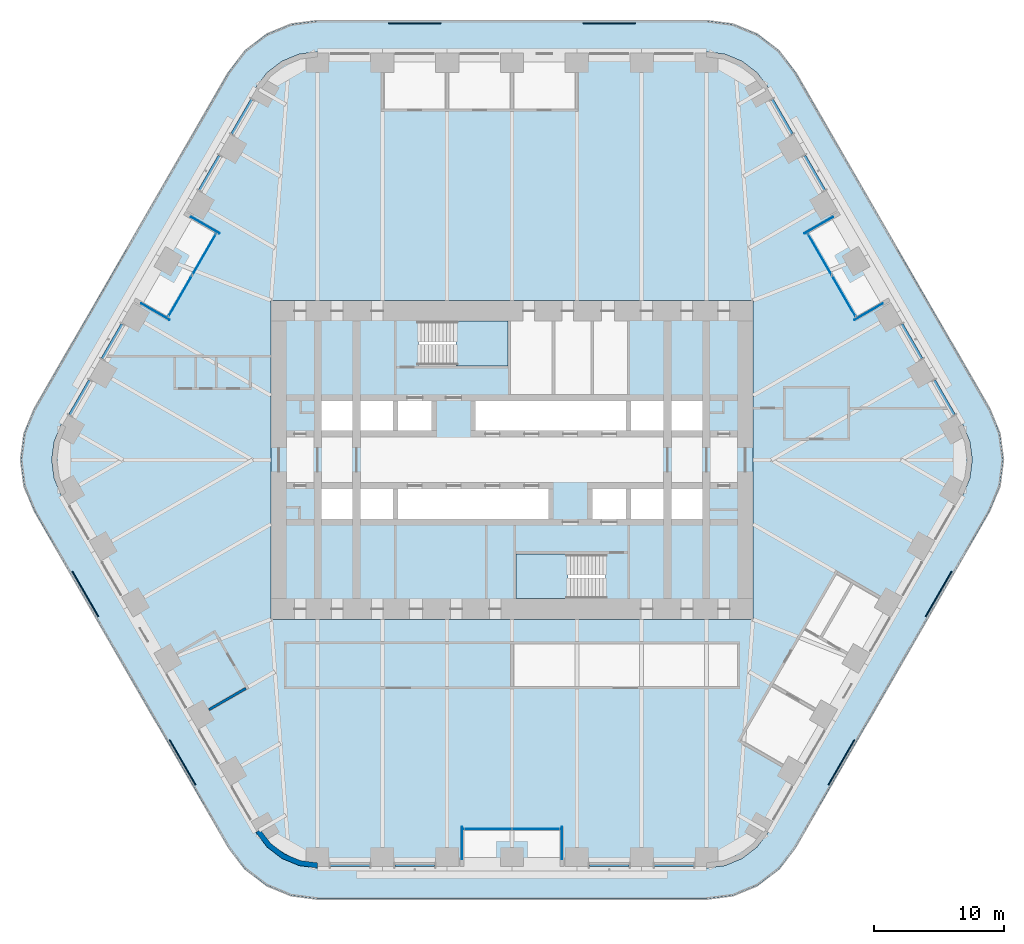
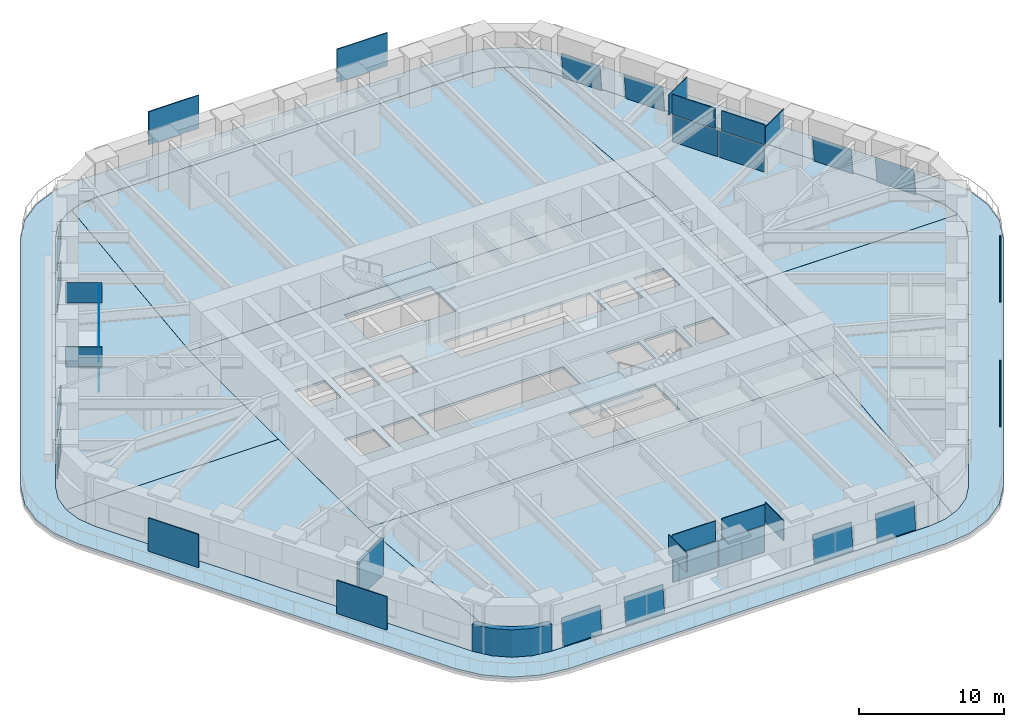
# One storey, part 16 of 24: 36 plates, 10 slabs, 2 walls, 17 elements without a shape of their own.
"""IFC4 building model written with IfcOpenShell, lengths in metres."""

from ifc_helpers import new_model, si_unit, direction, frame, frame_2d, origin, origin_2d, place, context, subcontext, project, spatial, polyline, rectangle, outline, extrude, material, layer, layer_set, type_object, element, aggregate, save


model = new_model("IFC4")

# Units and contexts
model_context = context("Model", 3, precision=1e-05, world=origin(), true_north=direction((0.0, 1.0)))
body_context = subcontext(model_context, "Body", "Model", "MODEL_VIEW")
ifc_project = project(units=[si_unit("LENGTHUNIT", "METRE"), si_unit("AREAUNIT", "SQUARE_METRE"), si_unit("VOLUMEUNIT", "CUBIC_METRE"), si_unit("PLANEANGLEUNIT", "RADIAN"), si_unit("MASSUNIT", "GRAM", prefix="KILO")], contexts=[model_context])

# Site, building, storey
site_placement = place(None, origin())
site = spatial("IfcSite", under=ifc_project, at=site_placement, CompositionType="ELEMENT")
building_placement = place(site_placement, origin())
building = spatial("IfcBuilding", under=site, at=building_placement, Name="Tarfa Lantern Tower", CompositionType="ELEMENT")
storey_placement = place(building_placement, frame((0.0, 0.0, 132.10009765625)))
storey = spatial("IfcBuildingStorey", under=building, at=storey_placement, Name="L29", CompositionType="ELEMENT", Elevation=132.10009765625)

# Slab
ifc_material_1 = material(Name="Concrete C40/50", Category="concrete")
ifc_layer_1 = layer(ifc_material_1, 0.199951171875)
ifc_layer_set_1 = layer_set([ifc_layer_1], Name="BS2 BALCONY SLAB 200")
slab_type_1 = type_object("IfcSlabType", Name="BS2 BALCONY SLAB 200", PredefinedType="FLOOR", material=ifc_layer_set_1)
slab_1_placement = place(storey_placement, frame((0.0, 0.0, -0.2001953125)))
element("IfcSlab", 1, at=slab_1_placement, inside=storey, type_object=slab_type_1, Name="Balcony L29", PredefinedType="FLOOR", context=body_context, shape_type="SweptSolid", body=[
    extrude(outline(polyline([(36.86376953125, 3.949951171875), (21.852783203125, 29.949951171875), (20.59716796875, 31.586181640625), (18.961181640625, 32.841552734375), (17.0556640625, 33.630859375), (15.010986328125, 33.89990234375), (-15.010986328125, 33.89990234375), (-17.0556640625, 33.630859375), (-18.961181640625, 32.841552734375), (-20.59716796875, 31.586181640625), (-21.852783203125, 29.949951171875), (-36.86376953125, 3.949951171875), (-37.653076171875, 2.044677734375), (-37.922119140625, 0.0), (-37.653076171875, -2.044677734375), (-36.86376953125, -3.949951171875), (-21.852783203125, -29.949951171875), (-20.59716796875, -31.586181640625), (-18.961181640625, -32.841552734375), (-17.0556640625, -33.630859375), (-15.010986328125, -33.89990234375), (15.010986328125, -33.89990234375), (17.0556640625, -33.630859375), (18.961181640625, -32.841552734375), (20.59716796875, -31.586181640625), (21.852783203125, -29.949951171875), (36.86376953125, -3.949951171875), (37.653076171875, -2.044677734375), (37.922119140625, 0.0), (37.653076171875, 2.044677734375), (36.86376953125, 3.949951171875)]), holes=[polyline([(34.785400390625, 2.75), (19.774169921875, 28.75), (18.900146484375, 29.88916015625), (17.760986328125, 30.76318359375), (16.4345703125, 31.3125), (15.010986328125, 31.5), (-15.010986328125, 31.5), (-16.4345703125, 31.3125), (-17.760986328125, 30.76318359375), (-18.900146484375, 29.88916015625), (-19.774169921875, 28.75), (-34.785400390625, 2.75), (-35.334716796875, 1.423583984375), (-35.522216796875, 0.0), (-35.334716796875, -1.423583984375), (-34.785400390625, -2.75), (-19.774169921875, -28.75), (-18.900146484375, -29.88916015625), (-17.760986328125, -30.76318359375), (-16.4345703125, -31.3125), (-15.010986328125, -31.5), (15.010986328125, -31.5), (16.4345703125, -31.3125), (17.760986328125, -30.76318359375), (18.900146484375, -29.88916015625), (19.774169921875, -28.75), (34.785400390625, -2.75), (35.334716796875, -1.423583984375), (35.522216796875, 0.0), (35.334716796875, 1.423583984375), (34.785400390625, 2.75)])]), origin(), (0.0, 0.0, 1.0), 0.2001953125),
])

# Curtain wall, plate
ifc_material_2 = material(Name="Aluminium framed curtain wall", Category="aluminium")
curtain_wall_type_1 = type_object("IfcCurtainWallType", Name="CW2 CANTED GLAZING MID ZONE 2300", PredefinedType="USERDEFINED", material=ifc_material_2)
curtain_wall_1_placement = place(storey_placement, origin())
curtain_wall_1 = element("IfcCurtainWall", 2, at=curtain_wall_1_placement, inside=storey, type_object=curtain_wall_type_1, Name="CW2 NE L29", ObjectType="CURTAIN WALL", PredefinedType="USERDEFINED")
ifc_material_3 = material(Name="Laminated double glazing", Category="glass")
ifc_layer_2 = layer(ifc_material_3, 0.028076171875)
ifc_layer_set_2 = layer_set([ifc_layer_2], Name="CWP1 DOUBLE GLAZED PANEL")
plate_type_1 = type_object("IfcPlateType", Name="CWP1 DOUBLE GLAZED PANEL", PredefinedType="CURTAIN_PANEL", material=ifc_layer_set_2)
plate_1_placement = place(storey_placement, frame((34.21630859375, 3.53564453125, 0.0), z_axis=(0.860949090239, 0.497081034858, 0.10806067185), x_axis=(-0.500008936691, 0.866020244122, 0.0)))
plate_1 = element("IfcPlate", 3, at=plate_1_placement, type_object=plate_type_1, Name="CW2 panel 1.1", PredefinedType="CURTAIN_PANEL", context=body_context, shape_type="SweptSolid", body=[
    extrude(outline(polyline([(0.0, 0.0), (3.0736755317705216, -2.7755575615628914e-17), (3.073820952204966, 2.2480270510174525), (0.00014542043444425168, 2.2480270510174525), (0.0, 0.0)])), origin(), (0.0, 0.0, -1.0), 0.028076171875),
])
aggregate(curtain_wall_1, [plate_1])

curtain_wall_2_placement = place(storey_placement, origin())
curtain_wall_2 = element("IfcCurtainWall", 4, at=curtain_wall_2_placement, inside=storey, type_object=curtain_wall_type_1, Name="CW2 NE L29", ObjectType="CURTAIN WALL", PredefinedType="USERDEFINED")
plate_2_placement = place(storey_placement, frame((31.71435546875, 7.869140625, 0.0), z_axis=(0.860944037037, 0.497078117321, 0.108114339344), x_axis=(-0.500008936691, 0.866020244122, 0.0)))
plate_2 = element("IfcPlate", 5, at=plate_2_placement, type_object=plate_type_1, Name="CW2 panel 1.1", PredefinedType="CURTAIN_PANEL", context=body_context, shape_type="SweptSolid", body=[
    extrude(outline(polyline([(0.0, 0.0), (3.0736755317705216, -2.7755575615628914e-17), (3.0736095214813033, 2.248040245528874), (-6.601028921828002e-05, 2.248040245528874), (0.0, 0.0)])), origin(), (0.0, 0.0, -1.0), 0.028076171875),
])
aggregate(curtain_wall_2, [plate_2])

curtain_wall_3_placement = place(storey_placement, origin())
curtain_wall_3 = element("IfcCurtainWall", 6, at=curtain_wall_3_placement, inside=storey, type_object=curtain_wall_type_1, Name="CW2 NEB L29", ObjectType="CURTAIN WALL", PredefinedType="USERDEFINED")
plate_3_placement = place(storey_placement, frame((24.208740234375, 20.869140625, 0.0), z_axis=(0.860952787679, 0.497083169627, 0.108021386133), x_axis=(-0.500008936691, 0.866020244122, 0.0)))
plate_3 = element("IfcPlate", 7, at=plate_3_placement, type_object=plate_type_1, Name="CW2 panel 1.1", PredefinedType="CURTAIN_PANEL", context=body_context, shape_type="SweptSolid", body=[
    extrude(outline(polyline([(0.0, 0.0), (3.0736755317705216, -2.7755575615628914e-17), (3.073487448986994, 2.248017396662401), (-0.000188082783527721, 2.248017396662401), (0.0, 0.0)])), origin(), (0.0, 0.0, -1.0), 0.028076171875),
])
aggregate(curtain_wall_3, [plate_3])

curtain_wall_4_placement = place(storey_placement, origin())
curtain_wall_4 = element("IfcCurtainWall", 8, at=curtain_wall_4_placement, inside=storey, type_object=curtain_wall_type_1, Name="CW2 NEB L29", ObjectType="CURTAIN WALL", PredefinedType="USERDEFINED")
plate_4_placement = place(storey_placement, frame((21.70703125, 25.202392578125, 0.0), z_axis=(0.860956434281, 0.497062480286, 0.10808750604), x_axis=(-0.499991940888, 0.866030056662, 2.133725e-06)))
plate_4 = element("IfcPlate", 9, at=plate_4_placement, type_object=plate_type_1, Name="CW2 panel 1.1", PredefinedType="CURTAIN_PANEL", context=body_context, shape_type="SweptSolid", body=[
    extrude(outline(polyline([(0.0, 0.0), (3.0736755311716215, 0.0), (3.073820952803893, 2.2480270501985133), (-6.601148703049016e-05, 2.248040244709982), (0.0, 0.0)])), origin(), (0.0, 0.0, -1.0), 0.028076171875),
])
aggregate(curtain_wall_4, [plate_4])

# Curtain wall, plates
curtain_wall_type_2 = type_object("IfcCurtainWallType", Name="CW10 LOGGIA GLAZING 2300", PredefinedType="USERDEFINED", material=ifc_material_2)
curtain_wall_5_placement = place(storey_placement, origin())
curtain_wall_5 = element("IfcCurtainWall", 10, at=curtain_wall_5_placement, inside=storey, type_object=curtain_wall_type_2, Name="CW10 NEL L29", ObjectType="CURTAIN WALL", PredefinedType="USERDEFINED")
plate_5_placement = place(storey_placement, frame((25.599609375, 12.660400390625, 0.0), z_axis=(0.0, 0.0, 1.0), x_axis=(-0.5, 0.866025403784, 0.0)))
plate_5 = element("IfcPlate", 11, at=plate_5_placement, type_object=plate_type_1, Name="CW10 panel 1.1", PredefinedType="CURTAIN_PANEL", context=body_context, shape_type="SweptSolid", body=[
    extrude(rectangle(XDim=3.606201171875, YDim=0.028076171875, at=origin_2d()), origin(), (0.0, 0.0, 1.0), 2.235107421875),
])
plate_6_placement = place(storey_placement, frame((23.763916015625, 15.839599609375, 0.0), z_axis=(0.0, 0.0, 1.0), x_axis=(-0.5, 0.866025403784, 0.0)))
plate_6 = element("IfcPlate", 12, at=plate_6_placement, type_object=plate_type_1, Name="CW10 panel 2.1", PredefinedType="CURTAIN_PANEL", context=body_context, shape_type="SweptSolid", body=[
    extrude(rectangle(XDim=3.606201171875, YDim=0.028076171875, at=origin_2d()), origin(), (0.0, 0.0, 1.0), 2.235107421875),
])
aggregate(curtain_wall_5, [plate_5, plate_6])

# Curtain wall, plate
curtain_wall_6_placement = place(storey_placement, origin())
curtain_wall_6 = element("IfcCurtainWall", 13, at=curtain_wall_6_placement, inside=storey, type_object=curtain_wall_type_1, Name="CW2 NW L29", ObjectType="CURTAIN WALL", PredefinedType="USERDEFINED")
plate_7_placement = place(storey_placement, frame((-20.170166015625, 27.8642578125, 0.0), z_axis=(-0.860956434281, 0.497062480286, 0.10808750604), x_axis=(-0.499991940888, -0.866030056662, -2.133725e-06)))
plate_7 = element("IfcPlate", 14, at=plate_7_placement, type_object=plate_type_1, Name="CW2 panel 1.1", PredefinedType="CURTAIN_PANEL", context=body_context, shape_type="SweptSolid", body=[
    extrude(outline(polyline([(0.0, 0.0), (3.0736755311716215, 0.0), (3.0737415426586523, 2.248040244709982), (-0.0001454216322718665, 2.2480270501985133), (0.0, 0.0)])), origin(), (0.0, 0.0, -1.0), 0.028076171875),
])
aggregate(curtain_wall_6, [plate_7])

curtain_wall_7_placement = place(storey_placement, origin())
curtain_wall_7 = element("IfcCurtainWall", 15, at=curtain_wall_7_placement, inside=storey, type_object=curtain_wall_type_1, Name="CW2 NW L29", ObjectType="CURTAIN WALL", PredefinedType="USERDEFINED")
plate_8_placement = place(storey_placement, frame((-22.671875, 23.531005859375, 0.0), z_axis=(-0.860952787679, 0.497083169627, 0.108021386133), x_axis=(-0.500008936691, -0.866020244122, 0.0)))
plate_8 = element("IfcPlate", 16, at=plate_8_placement, type_object=plate_type_1, Name="CW2 panel 1.1", PredefinedType="CURTAIN_PANEL", context=body_context, shape_type="SweptSolid", body=[
    extrude(outline(polyline([(0.0, 0.0), (3.0736755317705216, 2.7755575615628914e-17), (3.073863614554049, 2.248017396662401), (0.000188082783527721, 2.248017396662401), (0.0, 0.0)])), origin(), (0.0, 0.0, -1.0), 0.028076171875),
])
aggregate(curtain_wall_7, [plate_8])

curtain_wall_8_placement = place(storey_placement, origin())
curtain_wall_8 = element("IfcCurtainWall", 17, at=curtain_wall_8_placement, inside=storey, type_object=curtain_wall_type_1, Name="CW2 NWB L29", ObjectType="CURTAIN WALL", PredefinedType="USERDEFINED")
plate_9_placement = place(storey_placement, frame((-30.177490234375, 10.531005859375, 0.0), z_axis=(-0.860944037037, 0.497078117321, 0.108114339344), x_axis=(-0.500008936691, -0.866020244122, 0.0)))
plate_9 = element("IfcPlate", 18, at=plate_9_placement, type_object=plate_type_1, Name="CW2 panel 1.1", PredefinedType="CURTAIN_PANEL", context=body_context, shape_type="SweptSolid", body=[
    extrude(outline(polyline([(0.0, 0.0), (3.0736755317705216, 2.7755575615628914e-17), (3.07374154205974, 2.248040245528874), (6.601028921828002e-05, 2.248040245528874), (0.0, 0.0)])), origin(), (0.0, 0.0, -1.0), 0.028076171875),
])
aggregate(curtain_wall_8, [plate_9])

curtain_wall_9_placement = place(storey_placement, origin())
curtain_wall_9 = element("IfcCurtainWall", 19, at=curtain_wall_9_placement, inside=storey, type_object=curtain_wall_type_1, Name="CW2 NWB L29", ObjectType="CURTAIN WALL", PredefinedType="USERDEFINED")
plate_10_placement = place(storey_placement, frame((-32.679443359375, 6.197509765625, 0.0), z_axis=(-0.860949090239, 0.497081034858, 0.10806067185), x_axis=(-0.500008936691, -0.866020244122, 0.0)))
plate_10 = element("IfcPlate", 20, at=plate_10_placement, type_object=plate_type_1, Name="CW2 panel 1.1", PredefinedType="CURTAIN_PANEL", context=body_context, shape_type="SweptSolid", body=[
    extrude(outline(polyline([(0.0, 0.0), (3.0736755317705216, 2.7755575615628914e-17), (3.0735301113360776, 2.2480270510174525), (-0.00014542043444425168, 2.2480270510174525), (0.0, 0.0)])), origin(), (0.0, 0.0, -1.0), 0.028076171875),
])
aggregate(curtain_wall_9, [plate_10])

# Curtain wall, plates
curtain_wall_10_placement = place(storey_placement, origin())
curtain_wall_10 = element("IfcCurtainWall", 21, at=curtain_wall_10_placement, inside=storey, type_object=curtain_wall_type_2, Name="CW10 NWL L29", ObjectType="CURTAIN WALL", PredefinedType="USERDEFINED")
plate_11_placement = place(storey_placement, frame((-23.763916015625, 15.839599609375, 0.0), z_axis=(0.0, 0.0, 1.0), x_axis=(-0.5, -0.866025403784, 0.0)))
plate_11 = element("IfcPlate", 22, at=plate_11_placement, type_object=plate_type_1, Name="CW10 panel 1.1", PredefinedType="CURTAIN_PANEL", context=body_context, shape_type="SweptSolid", body=[
    extrude(rectangle(XDim=3.606201171875, YDim=0.028076171875, at=origin_2d()), origin(), (0.0, 0.0, 1.0), 2.235107421875),
])
plate_12_placement = place(storey_placement, frame((-25.599609375, 12.660400390625, 0.0), z_axis=(0.0, 0.0, 1.0), x_axis=(-0.5, -0.866025403784, 0.0)))
plate_12 = element("IfcPlate", 23, at=plate_12_placement, type_object=plate_type_1, Name="CW10 panel 2.1", PredefinedType="CURTAIN_PANEL", context=body_context, shape_type="SweptSolid", body=[
    extrude(rectangle(XDim=3.606201171875, YDim=0.028076171875, at=origin_2d()), origin(), (0.0, 0.0, 1.0), 2.235107421875),
])
aggregate(curtain_wall_10, [plate_11, plate_12])

# Curtain wall, plate
curtain_wall_11_placement = place(storey_placement, origin())
curtain_wall_11 = element("IfcCurtainWall", 24, at=curtain_wall_11_placement, inside=storey, type_object=curtain_wall_type_1, Name="CW2 S L29", ObjectType="CURTAIN WALL", PredefinedType="USERDEFINED")
plate_13_placement = place(storey_placement, frame((-14.046142578125, -31.39990234375, 0.0), z_axis=(0.0, -0.994144463069, 0.108059180768), x_axis=(1.0, 0.0, 0.0)))
plate_13 = element("IfcPlate", 25, at=plate_13_placement, type_object=plate_type_1, Name="CW2 panel 1.1", PredefinedType="CURTAIN_PANEL", context=body_context, shape_type="SweptSolid", body=[
    extrude(outline(polyline([(0.0, 0.0), (3.07373046875, 0.0), (3.07373046875, 2.248026684522066), (0.0, 2.248026684522066), (0.0, 0.0)])), origin(), (0.0, 0.0, -1.0), 0.028076171875),
])
aggregate(curtain_wall_11, [plate_13])

curtain_wall_12_placement = place(storey_placement, origin())
curtain_wall_12 = element("IfcCurtainWall", 26, at=curtain_wall_12_placement, inside=storey, type_object=curtain_wall_type_1, Name="CW2 S L29", ObjectType="CURTAIN WALL", PredefinedType="USERDEFINED")
plate_14_placement = place(storey_placement, frame((-9.04248046875, -31.39990234375, 0.0), z_axis=(0.0, -0.994144463069, 0.108059180768), x_axis=(1.0, 0.0, 0.0)))
plate_14 = element("IfcPlate", 27, at=plate_14_placement, type_object=plate_type_1, Name="CW2 panel 1.1", PredefinedType="CURTAIN_PANEL", context=body_context, shape_type="SweptSolid", body=[
    extrude(outline(polyline([(0.0, 0.0), (3.07373046875, 0.0), (3.07373046875, 2.248026684522066), (0.0, 2.248026684522066), (0.0, 0.0)])), origin(), (0.0, 0.0, -1.0), 0.028076171875),
])
aggregate(curtain_wall_12, [plate_14])

curtain_wall_13_placement = place(storey_placement, origin())
curtain_wall_13 = element("IfcCurtainWall", 28, at=curtain_wall_13_placement, inside=storey, type_object=curtain_wall_type_1, Name="CW2 SB L29", ObjectType="CURTAIN WALL", PredefinedType="USERDEFINED")
plate_15_placement = place(storey_placement, frame((5.96875, -31.39990234375, 0.0), z_axis=(0.0, -0.994144463069, 0.108059180768), x_axis=(1.0, 0.0, 0.0)))
plate_15 = element("IfcPlate", 29, at=plate_15_placement, type_object=plate_type_1, Name="CW2 panel 1.1", PredefinedType="CURTAIN_PANEL", context=body_context, shape_type="SweptSolid", body=[
    extrude(outline(polyline([(0.0, 0.0), (3.07373046875, 0.0), (3.07373046875, 2.248026684522066), (0.0, 2.248026684522066), (0.0, 0.0)])), origin(), (0.0, 0.0, -1.0), 0.028076171875),
])
aggregate(curtain_wall_13, [plate_15])

curtain_wall_14_placement = place(storey_placement, origin())
curtain_wall_14 = element("IfcCurtainWall", 30, at=curtain_wall_14_placement, inside=storey, type_object=curtain_wall_type_1, Name="CW2 SB L29", ObjectType="CURTAIN WALL", PredefinedType="USERDEFINED")
plate_16_placement = place(storey_placement, frame((10.972412109375, -31.39990234375, 0.0), z_axis=(0.0, -0.994144463069, 0.108059180768), x_axis=(1.0, 0.0, 0.0)))
plate_16 = element("IfcPlate", 31, at=plate_16_placement, type_object=plate_type_1, Name="CW2 panel 1.1", PredefinedType="CURTAIN_PANEL", context=body_context, shape_type="SweptSolid", body=[
    extrude(outline(polyline([(0.0, 0.0), (3.07373046875, 0.0), (3.07373046875, 2.248026684522066), (0.0, 2.248026684522066), (0.0, 0.0)])), origin(), (0.0, 0.0, -1.0), 0.028076171875),
])
aggregate(curtain_wall_14, [plate_16])

# Curtain wall, plates
curtain_wall_15_placement = place(storey_placement, origin())
curtain_wall_15 = element("IfcCurtainWall", 32, at=curtain_wall_15_placement, inside=storey, type_object=curtain_wall_type_2, Name="CW10 SL L29", ObjectType="CURTAIN WALL", PredefinedType="USERDEFINED")
plate_17_placement = place(storey_placement, frame((-1.835693359375, -28.5, 0.0), z_axis=(0.0, 0.0, 1.0), x_axis=(1.0, 0.0, 0.0)))
plate_17 = element("IfcPlate", 33, at=plate_17_placement, type_object=plate_type_1, Name="CW10 panel 1.1", PredefinedType="CURTAIN_PANEL", context=body_context, shape_type="SweptSolid", body=[
    extrude(rectangle(XDim=3.606201171875, YDim=0.028076171875, at=origin_2d()), origin(), (0.0, 0.0, 1.0), 2.235107421875),
])
plate_18_placement = place(storey_placement, frame((1.835693359375, -28.5, 0.0), z_axis=(0.0, 0.0, 1.0), x_axis=(1.0, 0.0, 0.0)))
plate_18 = element("IfcPlate", 34, at=plate_18_placement, type_object=plate_type_1, Name="CW10 panel 2.1", PredefinedType="CURTAIN_PANEL", context=body_context, shape_type="SweptSolid", body=[
    extrude(rectangle(XDim=3.606201171875, YDim=0.028076171875, at=origin_2d()), origin(), (0.0, 0.0, 1.0), 2.235107421875),
])
aggregate(curtain_wall_15, [plate_17, plate_18])

# Slabs
ifc_layer_3 = layer(ifc_material_1, 0.199951171875)
ifc_layer_set_3 = layer_set([ifc_layer_3], Name="FS1 FLOOR SLAB 200")
slab_type_2 = type_object("IfcSlabType", Name="FS1 FLOOR SLAB 200", PredefinedType="FLOOR", material=ifc_layer_set_3)
slab_2_placement = place(storey_placement, frame((0.0, 0.0, -0.2001953125)))
element("IfcSlab", 35, at=slab_2_placement, inside=storey, type_object=slab_type_2, Name="Floor slab L29", PredefinedType="FLOOR", context=body_context, shape_type="SweptSolid", body=[
    extrude(outline(polyline([(-18.60009765625, -12.300048828125), (18.60009765625, -12.300048828125), (18.60009765625, 12.300048828125), (-18.60009765625, 12.300048828125), (-18.60009765625, -12.300048828125)]), holes=[polyline([(-14.699951171875, 2.25), (-12.300048828125, 2.25), (-12.300048828125, 4.550048828125), (-14.699951171875, 4.550048828125), (-14.699951171875, 2.25)]), polyline([(-11.699951171875, 2.25), (-9.199951171875, 2.25), (-9.199951171875, 4.550048828125), (-11.699951171875, 4.550048828125), (-11.699951171875, 2.25)]), polyline([(-8.800048828125, 2.25), (-6.199951171875, 2.25), (-6.199951171875, 4.550048828125), (-8.800048828125, 4.550048828125), (-8.800048828125, 2.25)]), polyline([(-2.800048828125, 2.25), (8.800048828125, 2.25), (8.800048828125, 4.550048828125), (-2.800048828125, 4.550048828125), (-2.800048828125, 2.25)]), polyline([(9.199951171875, 2.25), (11.699951171875, 2.25), (11.699951171875, 4.550048828125), (9.199951171875, 4.550048828125), (9.199951171875, 2.25)]), polyline([(12.300048828125, 2.25), (14.699951171875, 2.25), (14.699951171875, 4.550048828125), (12.300048828125, 4.550048828125), (12.300048828125, 2.25)]), polyline([(14.699951171875, -2.25), (12.300048828125, -2.25), (12.300048828125, -4.550048828125), (14.699951171875, -4.550048828125), (14.699951171875, -2.25)]), polyline([(11.699951171875, -2.25), (9.199951171875, -2.25), (9.199951171875, -4.550048828125), (11.699951171875, -4.550048828125), (11.699951171875, -2.25)]), polyline([(8.800048828125, -2.25), (6.199951171875, -2.25), (6.199951171875, -4.550048828125), (8.800048828125, -4.550048828125), (8.800048828125, -2.25)]), polyline([(2.800048828125, -2.25), (-8.800048828125, -2.25), (-8.800048828125, -4.550048828125), (2.800048828125, -4.550048828125), (2.800048828125, -2.25)]), polyline([(-9.199951171875, -2.25), (-11.699951171875, -2.25), (-11.699951171875, -4.550048828125), (-9.199951171875, -4.550048828125), (-9.199951171875, -2.25)]), polyline([(-12.300048828125, -2.25), (-14.699951171875, -2.25), (-14.699951171875, -4.550048828125), (-12.300048828125, -4.550048828125), (-12.300048828125, -2.25)]), polyline([(-7.199951171875, 7.25), (-0.300048828125, 7.25), (-0.300048828125, 10.699951171875), (-7.199951171875, 10.699951171875), (-7.199951171875, 7.25)]), polyline([(7.199951171875, -7.25), (0.300048828125, -7.25), (0.300048828125, -10.699951171875), (7.199951171875, -10.699951171875), (7.199951171875, -7.25)])]), origin(), (0.0, 0.0, 1.0), 0.2001953125),
])
slab_3_placement = place(storey_placement, frame((0.0, 0.0, -0.2001953125)))
element("IfcSlab", 36, at=slab_3_placement, inside=storey, type_object=slab_type_2, Name="Floor slab L29 NE bay", PredefinedType="FLOOR", context=body_context, shape_type="SweptSolid", body=[
    extrude(outline(polyline([(34.783447265625, 2.7490234375), (19.7724609375, 28.748779296875), (18.898681640625, 29.8876953125), (17.760009765625, 30.761474609375), (17.19189453125, 30.996826171875), (18.60205078125, 12.300048828125), (18.60205078125, 0.001953125), (35.52001953125, 0.001953125), (35.332763671875, 1.423095703125), (34.783447265625, 2.7490234375)])), origin(), (0.0, 0.0, 1.0), 0.2001953125),
])
slab_4_placement = place(storey_placement, frame((0.0, 0.0, -0.2001953125)))
element("IfcSlab", 37, at=slab_4_placement, inside=storey, type_object=slab_type_2, Name="Floor slab L29 N bay", PredefinedType="FLOOR", context=body_context, shape_type="SweptSolid", body=[
    extrude(outline(polyline([(-18.597900390625, 12.302001953125), (18.597900390625, 12.302001953125), (17.187744140625, 30.99853515625), (16.43408203125, 31.310546875), (15.010986328125, 31.498046875), (-15.010986328125, 31.498046875), (-16.43408203125, 31.310546875), (-17.187744140625, 30.99853515625), (-18.597900390625, 12.302001953125)])), origin(), (0.0, 0.0, 1.0), 0.2001953125),
])
slab_5_placement = place(storey_placement, frame((0.0, 0.0, -0.2001953125)))
element("IfcSlab", 38, at=slab_5_placement, inside=storey, type_object=slab_type_2, Name="Floor slab L29 NW bay", PredefinedType="FLOOR", context=body_context, shape_type="SweptSolid", body=[
    extrude(outline(polyline([(-18.60205078125, 0.001953125), (-18.60205078125, 12.300048828125), (-17.19189453125, 30.996826171875), (-17.760009765625, 30.761474609375), (-18.898681640625, 29.8876953125), (-19.7724609375, 28.748779296875), (-34.783447265625, 2.7490234375), (-35.332763671875, 1.423095703125), (-35.52001953125, 0.001953125), (-18.60205078125, 0.001953125)])), origin(), (0.0, 0.0, 1.0), 0.2001953125),
])
slab_6_placement = place(storey_placement, frame((0.0, 0.0, -0.2001953125)))
element("IfcSlab", 39, at=slab_6_placement, inside=storey, type_object=slab_type_2, Name="Floor slab L29 SW bay", PredefinedType="FLOOR", context=body_context, shape_type="SweptSolid", body=[
    extrude(outline(polyline([(-18.60205078125, -12.300048828125), (-18.60205078125, -0.001953125), (-35.52001953125, -0.001953125), (-35.332763671875, -1.423095703125), (-34.783447265625, -2.7490234375), (-19.7724609375, -28.748779296875), (-18.898681640625, -29.8876953125), (-17.760009765625, -30.761474609375), (-17.19189453125, -30.996826171875), (-18.60205078125, -12.300048828125)])), origin(), (0.0, 0.0, 1.0), 0.2001953125),
])
slab_7_placement = place(storey_placement, frame((0.0, 0.0, -0.2001953125)))
element("IfcSlab", 40, at=slab_7_placement, inside=storey, type_object=slab_type_2, Name="Floor slab L29 S bay", PredefinedType="FLOOR", context=body_context, shape_type="SweptSolid", body=[
    extrude(outline(polyline([(18.597900390625, -12.302001953125), (-18.597900390625, -12.302001953125), (-17.187744140625, -30.99853515625), (-16.43408203125, -31.310546875), (-15.010986328125, -31.498046875), (15.010986328125, -31.498046875), (16.43408203125, -31.310546875), (17.187744140625, -30.99853515625), (18.597900390625, -12.302001953125)])), origin(), (0.0, 0.0, 1.0), 0.2001953125),
])
slab_8_placement = place(storey_placement, frame((0.0, 0.0, -0.2001953125)))
element("IfcSlab", 41, at=slab_8_placement, inside=storey, type_object=slab_type_2, Name="Floor slab L29 SE bay", PredefinedType="FLOOR", context=body_context, shape_type="SweptSolid", body=[
    extrude(outline(polyline([(18.60205078125, -0.001953125), (18.60205078125, -12.300048828125), (17.19189453125, -30.996826171875), (17.760009765625, -30.761474609375), (18.898681640625, -29.8876953125), (19.7724609375, -28.748779296875), (34.783447265625, -2.7490234375), (35.332763671875, -1.423095703125), (35.52001953125, -0.001953125), (18.60205078125, -0.001953125)])), origin(), (0.0, 0.0, 1.0), 0.2001953125),
])

# Plates
ifc_material_4 = material(Name="Aluminium fascia panel", Category="aluminium")
ifc_layer_4 = layer(ifc_material_4, 0.050048828125)
ifc_layer_set_4 = layer_set([ifc_layer_4], Name="LF1 LOGGIA HEAD FASCIA 50")
plate_type_2 = type_object("IfcPlateType", Name="LF1 LOGGIA HEAD FASCIA 50", PredefinedType="USERDEFINED", material=ifc_layer_set_4)
for number, where, z_axis, x_axis, name in (
    (42, (25.670166015625, 12.5380859375, 2.2998046875), (0.0, 0.0, 1.0), (-0.5, 0.866025403784, 0.0), "Loggia head fascia NE"),
    (43, (23.693359375, 15.9619140625, 2.2998046875), (0.0, 0.0, 1.0), (-0.5, 0.866025403784, 0.0), "Loggia head fascia NE"),
):
    element("IfcPlate", number, at=place(storey_placement, frame(where, z_axis=z_axis, x_axis=x_axis)), inside=storey, type_object=plate_type_2, Name=name, ObjectType="FASCIA", PredefinedType="USERDEFINED", context=body_context, shape_type="SweptSolid", body=[
        extrude(rectangle(XDim=3.45361328125, YDim=0.050048828125, at=origin_2d()), origin(), (0.0, 0.0, 1.0), 1.699951171875),
    ])
for number, where, z_axis, x_axis, name in (
    (44, (27.526611328125, 11.442626953125, 2.2998046875), (0.0, 0.0, 1.0), (-0.866025403784, -0.5, 0.0), "Loggia head fascia NE"),
    (45, (23.6728515625, 18.117431640625, 2.2998046875), (0.0, 0.0, 1.0), (-0.866025403784, -0.5, 0.0), "Loggia head fascia NE"),
):
    element("IfcPlate", number, at=place(storey_placement, frame(where, z_axis=z_axis, x_axis=x_axis)), inside=storey, type_object=plate_type_2, Name=name, ObjectType="FASCIA", PredefinedType="USERDEFINED", context=body_context, shape_type="SweptSolid", body=[
        extrude(rectangle(XDim=2.52001953125, YDim=0.050048828125, at=origin_2d()), origin(), (0.0, 0.0, 1.0), 1.699951171875),
    ])
for number, where, z_axis, x_axis, name in (
    (46, (-23.693359375, 15.9619140625, 2.2998046875), (0.0, 0.0, 1.0), (-0.5, -0.866025403784, 0.0), "Loggia head fascia NW"),
    (47, (-25.670166015625, 12.5380859375, 2.2998046875), (0.0, 0.0, 1.0), (-0.5, -0.866025403784, 0.0), "Loggia head fascia NW"),
):
    element("IfcPlate", number, at=place(storey_placement, frame(where, z_axis=z_axis, x_axis=x_axis)), inside=storey, type_object=plate_type_2, Name=name, ObjectType="FASCIA", PredefinedType="USERDEFINED", context=body_context, shape_type="SweptSolid", body=[
        extrude(rectangle(XDim=3.45361328125, YDim=0.050048828125, at=origin_2d()), origin(), (0.0, 0.0, 1.0), 1.699951171875),
    ])
for number, where, z_axis, x_axis, name in (
    (48, (-23.6728515625, 18.117431640625, 2.2998046875), (0.0, 0.0, 1.0), (0.866025403784, -0.5, 0.0), "Loggia head fascia NW"),
    (49, (-27.526611328125, 11.442626953125, 2.2998046875), (0.0, 0.0, 1.0), (0.866025403784, -0.5, 0.0), "Loggia head fascia NW"),
):
    element("IfcPlate", number, at=place(storey_placement, frame(where, z_axis=z_axis, x_axis=x_axis)), inside=storey, type_object=plate_type_2, Name=name, ObjectType="FASCIA", PredefinedType="USERDEFINED", context=body_context, shape_type="SweptSolid", body=[
        extrude(rectangle(XDim=2.52001953125, YDim=0.050048828125, at=origin_2d()), origin(), (0.0, 0.0, 1.0), 1.699951171875),
    ])
for number, where, z_axis, x_axis, name in (
    (50, (-1.976806640625, -28.5, 2.2998046875), (0.0, 0.0, 1.0), (1.0, 0.0, 0.0), "Loggia head fascia S"),
    (51, (1.976806640625, -28.5, 2.2998046875), (0.0, 0.0, 1.0), (1.0, 0.0, 0.0), "Loggia head fascia S"),
):
    element("IfcPlate", number, at=place(storey_placement, frame(where, z_axis=z_axis, x_axis=x_axis)), inside=storey, type_object=plate_type_2, Name=name, ObjectType="FASCIA", PredefinedType="USERDEFINED", context=body_context, shape_type="SweptSolid", body=[
        extrude(rectangle(XDim=3.45361328125, YDim=0.050048828125, at=origin_2d()), origin(), (0.0, 0.0, 1.0), 1.699951171875),
    ])
for number, where, z_axis, x_axis, name in (
    (52, (-3.853759765625, -29.56005859375, 2.2998046875), (0.0, 0.0, 1.0), (0.0, 1.0, 0.0), "Loggia head fascia S"),
    (53, (3.853759765625, -29.56005859375, 2.2998046875), (0.0, 0.0, 1.0), (0.0, 1.0, 0.0), "Loggia head fascia S"),
):
    element("IfcPlate", number, at=place(storey_placement, frame(where, z_axis=z_axis, x_axis=x_axis)), inside=storey, type_object=plate_type_2, Name=name, ObjectType="FASCIA", PredefinedType="USERDEFINED", context=body_context, shape_type="SweptSolid", body=[
        extrude(rectangle(XDim=2.52001953125, YDim=0.050048828125, at=origin_2d()), origin(), (0.0, 0.0, 1.0), 1.699951171875),
    ])
ifc_material_5 = material(Name="Perforated limestone screen", Category="masonry")
ifc_layer_5 = layer(ifc_material_5, 0.080078125)
ifc_layer_set_5 = layer_set([ifc_layer_5], Name="SC1 STONE SCREEN 80")
plate_type_3 = type_object("IfcPlateType", Name="SC1 STONE SCREEN 80", PredefinedType="USERDEFINED", material=ifc_layer_set_5)
for number, where, z_axis, x_axis, name in (
    (54, (7.505615234375, 33.699951171875, 1.19970703125), (0.0, 0.0, 1.0), (-1.0, 0.0, 0.0), "Stone screen N 1"),
    (55, (-7.505615234375, 33.699951171875, 1.19970703125), (0.0, 0.0, 1.0), (-1.0, 0.0, 0.0), "Stone screen N 2"),
    (56, (-32.937744140625, -10.35009765625, 1.19970703125), (0.0, 0.0, 1.0), (0.5, -0.866025403784, 0.0), "Stone screen SW 1"),
    (57, (-25.432373046875, -23.35009765625, 1.19970703125), (0.0, 0.0, 1.0), (0.5, -0.866025403784, 0.0), "Stone screen SW 2"),
    (58, (25.432373046875, -23.35009765625, 1.19970703125), (0.0, 0.0, 1.0), (0.5, 0.866025403784, 0.0), "Stone screen SE 1"),
    (59, (32.937744140625, -10.35009765625, 1.19970703125), (0.0, 0.0, 1.0), (0.5, 0.866025403784, 0.0), "Stone screen SE 2"),
):
    element("IfcPlate", number, at=place(storey_placement, frame(where, z_axis=z_axis, x_axis=x_axis)), inside=storey, type_object=plate_type_3, Name=name, ObjectType="SCREEN", PredefinedType="USERDEFINED", context=body_context, shape_type="SweptSolid", body=[
        extrude(rectangle(XDim=4.0, YDim=0.080078125, at=origin_2d()), origin(), (0.0, 0.0, 1.0), 2.800048828125),
    ])

# Stair, slab
stair_type = type_object("IfcStairType", Name="ST-T10 HALF-TURN STAIR 4200 RISE", PredefinedType="HALF_TURN_STAIR", material=ifc_material_1)
stair_1_placement = place(storey_placement, origin())
stair_1 = element("IfcStair", 60, at=stair_1_placement, inside=storey, type_object=stair_type, Name="Stair ST1", PredefinedType="HALF_TURN_STAIR")
ifc_layer_6 = layer(ifc_material_1, 0.199951171875)
ifc_layer_set_6 = layer_set([ifc_layer_6], Name="SL1 STAIR LANDING 200")
slab_type_3 = type_object("IfcSlabType", Name="SL1 STAIR LANDING 200", PredefinedType="LANDING", material=ifc_layer_set_6)
slab_9_placement = place(storey_placement, frame((0.0, 0.0, 1.89990234375)))
slab_9 = element("IfcSlab", 61, at=slab_9_placement, type_object=slab_type_3, Name="ST1 landing 1", PredefinedType="LANDING", context=body_context, shape_type="SweptSolid", body=[
    extrude(outline(polyline([(-4.320068359375, 7.25), (-0.300048828125, 7.25), (-0.300048828125, 10.699951171875), (-4.320068359375, 10.699951171875), (-4.320068359375, 7.25)])), origin(), (0.0, 0.0, 1.0), 0.199951171875),
])
aggregate(stair_1, [slab_9])

stair_2_placement = place(storey_placement, origin())
stair_2 = element("IfcStair", 62, at=stair_2_placement, inside=storey, type_object=stair_type, Name="Stair ST2", PredefinedType="HALF_TURN_STAIR")
slab_10_placement = place(storey_placement, frame((0.0, 0.0, 1.89990234375)))
slab_10 = element("IfcSlab", 63, at=slab_10_placement, type_object=slab_type_3, Name="ST2 landing 1", PredefinedType="LANDING", context=body_context, shape_type="SweptSolid", body=[
    extrude(outline(polyline([(4.320068359375, -7.25), (0.300048828125, -7.25), (0.300048828125, -10.699951171875), (4.320068359375, -10.699951171875), (4.320068359375, -7.25)])), origin(), (0.0, 0.0, 1.0), 0.199951171875),
])
aggregate(stair_2, [slab_10])

# Walls
ifc_material_6 = material(Name="Limestone cladding on blockwork", Category="masonry")
ifc_layer_7 = layer(ifc_material_6, 0.39990234375)
ifc_layer_set_7 = layer_set([ifc_layer_7], Name="EW2 CURVED STONE CORNER 400")
wall_type_1 = type_object("IfcWallType", Name="EW2 CURVED STONE CORNER 400", PredefinedType="SOLIDWALL", material=ifc_layer_set_7)
wall_1_placement = place(storey_placement, origin())
element("IfcWall", 64, at=wall_1_placement, inside=storey, type_object=wall_type_1, Name="Stone corner SW-S", PredefinedType="SOLIDWALL", context=body_context, shape_type="SweptSolid", body=[
    extrude(outline(polyline([(-19.774169921875, -28.75), (-18.900146484375, -29.88916015625), (-17.760986328125, -30.76318359375), (-16.4345703125, -31.3125), (-15.010986328125, -31.5), (-15.010986328125, -31.10009765625), (-16.3310546875, -30.92626953125), (-17.56103515625, -30.416748046875), (-18.617431640625, -29.606201171875), (-19.427734375, -28.550048828125), (-19.774169921875, -28.75)])), origin(), (0.0, 0.0, 1.0), 2.2998046875),
])
ifc_material_7 = material(Name="Gypsum board on steel studs", Category="steel")
ifc_layer_8 = layer(ifc_material_7, 0.2099609375)
ifc_layer_set_8 = layer_set([ifc_layer_8], Name="IW2 ACOUSTIC PARTITION 200")
wall_type_2 = type_object("IfcWallType", Name="IW2 ACOUSTIC PARTITION 200", PredefinedType="PARTITIONING", material=ifc_layer_set_8)
wall_2_placement = place(storey_placement, frame((-20.534423828125, -17.63330078125, 0.0), z_axis=(0.0, 0.0, 1.0), x_axis=(-0.866008176907, -0.50002983664, 0.0)))
element("IfcWall", 65, at=wall_2_placement, inside=storey, type_object=wall_type_2, Name="Partition", PredefinedType="PARTITIONING", context=body_context, shape_type="SweptSolid", body=[
    extrude(rectangle(XDim=3.300048828125, YDim=0.199951171875, at=frame_2d((1.64990234375, 0.0))), origin(), (0.0, 0.0, 1.0), 3.08154296875),
])

save(model, "model.ifc")
